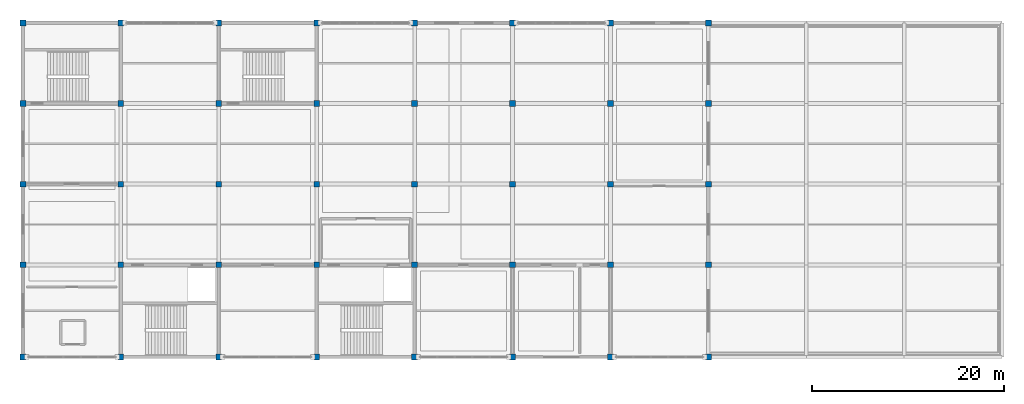
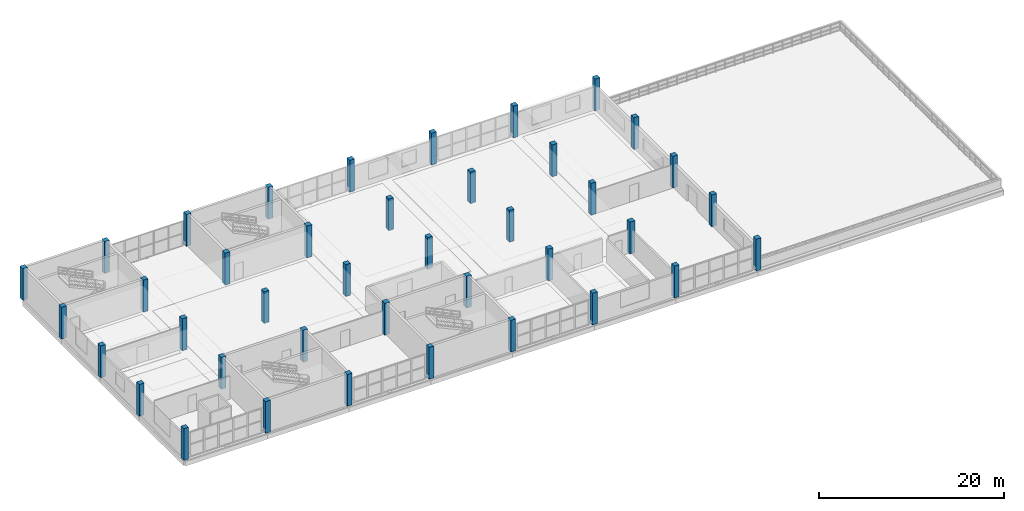
# One storey, part 1 of 24: 40 columns.
"""IFC4 building model written with IfcOpenShell, lengths in metres."""

from ifc_helpers import new_model, si_unit, direction, frame, origin, origin_2d, place, context, subcontext, project, spatial, rectangle, extrude, material, material_profile, profile_set, type_object, element, save


model = new_model("IFC4")

# Units and contexts
model_context = context("Model", 3, precision=1e-05, world=origin(), true_north=direction((0.0, 1.0)))
body_context = subcontext(model_context, "Body", "Model", "MODEL_VIEW")
ifc_project = project(units=[si_unit("LENGTHUNIT", "METRE"), si_unit("AREAUNIT", "SQUARE_METRE"), si_unit("VOLUMEUNIT", "CUBIC_METRE"), si_unit("PLANEANGLEUNIT", "RADIAN"), si_unit("MASSUNIT", "GRAM", prefix="KILO")], contexts=[model_context])

# Site, building, storey
site_placement = place(None, origin())
site = spatial("IfcSite", under=ifc_project, at=site_placement, CompositionType="ELEMENT")
building_placement = place(site_placement, origin())
building = spatial("IfcBuilding", under=site, at=building_placement, Name="Brelvane Convention Centre", CompositionType="ELEMENT")
storey_placement = place(building_placement, frame((0.0, 0.0, 19.199951171875)))
storey = spatial("IfcBuildingStorey", under=building, at=storey_placement, Name="L04", CompositionType="ELEMENT", Elevation=19.199951171875)

# Columns
ifc_material = material(Name="Concrete M50", Category="concrete")
ifc_material_profile = material_profile(ifc_material, rectangle(XDim=0.60009765625, YDim=0.60009765625, at=origin_2d()), Name="RC 600x600")
ifc_profile_set = profile_set([ifc_material_profile], Name="Concrete M50")
column_type = type_object("IfcColumnType", Name="RC Column C-RC4 (RC 600x600)", PredefinedType="COLUMN", material=ifc_profile_set)
for number, where, z_axis, x_axis, name in (
    (1, (0.0, 109.199951171875, 0.0), (0.0, 0.0, 1.0), (1.0, 0.0, 0.0), "Column 1-L (L04)"),
    (2, (0.0, 118.800048828125, 0.0), (0.0, 0.0, 1.0), (1.0, 0.0, 0.0), "Column 1-M (L04)"),
    (3, (0.0, 127.199951171875, 0.0), (0.0, 0.0, 1.0), (1.0, 0.0, 0.0), "Column 1-N (L04)"),
    (4, (0.0, 135.60009765625, 0.0), (0.0, 0.0, 1.0), (1.0, 0.0, 0.0), "Column 1-P (L04)"),
    (5, (0.0, 144.0, 0.0), (0.0, 0.0, 1.0), (1.0, 0.0, 0.0), "Column 1-Q (L04)"),
    (6, (10.199951171875, 109.199951171875, 0.0), (0.0, 0.0, 1.0), (1.0, 0.0, 0.0), "Column 2-L (L04)"),
    (7, (10.199951171875, 118.800048828125, 0.0), (0.0, 0.0, 1.0), (1.0, 0.0, 0.0), "Column 2-M (L04)"),
    (8, (10.199951171875, 127.199951171875, 0.0), (0.0, 0.0, 1.0), (1.0, 0.0, 0.0), "Column 2-N (L04)"),
    (9, (10.199951171875, 135.60009765625, 0.0), (0.0, 0.0, 1.0), (1.0, 0.0, 0.0), "Column 2-P (L04)"),
    (10, (10.199951171875, 144.0, 0.0), (0.0, 0.0, 1.0), (1.0, 0.0, 0.0), "Column 2-Q (L04)"),
    (11, (20.39990234375, 109.199951171875, 0.0), (0.0, 0.0, 1.0), (1.0, 0.0, 0.0), "Column 3-L (L04)"),
    (12, (20.39990234375, 118.800048828125, 0.0), (0.0, 0.0, 1.0), (1.0, 0.0, 0.0), "Column 3-M (L04)"),
    (13, (20.39990234375, 127.199951171875, 0.0), (0.0, 0.0, 1.0), (1.0, 0.0, 0.0), "Column 3-N (L04)"),
    (14, (20.39990234375, 135.60009765625, 0.0), (0.0, 0.0, 1.0), (1.0, 0.0, 0.0), "Column 3-P (L04)"),
    (15, (20.39990234375, 144.0, 0.0), (0.0, 0.0, 1.0), (1.0, 0.0, 0.0), "Column 3-Q (L04)"),
    (16, (30.60009765625, 109.199951171875, 0.0), (0.0, 0.0, 1.0), (1.0, 0.0, 0.0), "Column 4-L (L04)"),
    (17, (30.60009765625, 118.800048828125, 0.0), (0.0, 0.0, 1.0), (1.0, 0.0, 0.0), "Column 4-M (L04)"),
    (18, (30.60009765625, 127.199951171875, 0.0), (0.0, 0.0, 1.0), (1.0, 0.0, 0.0), "Column 4-N (L04)"),
    (19, (30.60009765625, 135.60009765625, 0.0), (0.0, 0.0, 1.0), (1.0, 0.0, 0.0), "Column 4-P (L04)"),
    (20, (30.60009765625, 144.0, 0.0), (0.0, 0.0, 1.0), (1.0, 0.0, 0.0), "Column 4-Q (L04)"),
    (21, (40.800048828125, 109.199951171875, 0.0), (0.0, 0.0, 1.0), (1.0, 0.0, 0.0), "Column 5-L (L04)"),
    (22, (40.800048828125, 118.800048828125, 0.0), (0.0, 0.0, 1.0), (1.0, 0.0, 0.0), "Column 5-M (L04)"),
    (23, (40.800048828125, 127.199951171875, 0.0), (0.0, 0.0, 1.0), (1.0, 0.0, 0.0), "Column 5-N (L04)"),
    (24, (40.800048828125, 135.60009765625, 0.0), (0.0, 0.0, 1.0), (1.0, 0.0, 0.0), "Column 5-P (L04)"),
    (25, (40.800048828125, 144.0, 0.0), (0.0, 0.0, 1.0), (1.0, 0.0, 0.0), "Column 5-Q (L04)"),
    (26, (51.0, 109.199951171875, 0.0), (0.0, 0.0, 1.0), (1.0, 0.0, 0.0), "Column 6-L (L04)"),
    (27, (51.0, 118.800048828125, 0.0), (0.0, 0.0, 1.0), (1.0, 0.0, 0.0), "Column 6-M (L04)"),
    (28, (51.0, 127.199951171875, 0.0), (0.0, 0.0, 1.0), (1.0, 0.0, 0.0), "Column 6-N (L04)"),
    (29, (51.0, 135.60009765625, 0.0), (0.0, 0.0, 1.0), (1.0, 0.0, 0.0), "Column 6-P (L04)"),
    (30, (51.0, 144.0, 0.0), (0.0, 0.0, 1.0), (1.0, 0.0, 0.0), "Column 6-Q (L04)"),
    (31, (61.199951171875, 109.199951171875, 0.0), (0.0, 0.0, 1.0), (1.0, 0.0, 0.0), "Column 7-L (L04)"),
    (32, (61.199951171875, 118.800048828125, 0.0), (0.0, 0.0, 1.0), (1.0, 0.0, 0.0), "Column 7-M (L04)"),
    (33, (61.199951171875, 127.199951171875, 0.0), (0.0, 0.0, 1.0), (1.0, 0.0, 0.0), "Column 7-N (L04)"),
    (34, (61.199951171875, 135.60009765625, 0.0), (0.0, 0.0, 1.0), (1.0, 0.0, 0.0), "Column 7-P (L04)"),
    (35, (61.199951171875, 144.0, 0.0), (0.0, 0.0, 1.0), (1.0, 0.0, 0.0), "Column 7-Q (L04)"),
    (36, (71.39990234375, 109.199951171875, 0.0), (0.0, 0.0, 1.0), (1.0, 0.0, 0.0), "Column 8-L (L04)"),
    (37, (71.39990234375, 118.800048828125, 0.0), (0.0, 0.0, 1.0), (1.0, 0.0, 0.0), "Column 8-M (L04)"),
    (38, (71.39990234375, 127.199951171875, 0.0), (0.0, 0.0, 1.0), (1.0, 0.0, 0.0), "Column 8-N (L04)"),
    (39, (71.39990234375, 135.60009765625, 0.0), (0.0, 0.0, 1.0), (1.0, 0.0, 0.0), "Column 8-P (L04)"),
    (40, (71.39990234375, 144.0, 0.0), (0.0, 0.0, 1.0), (1.0, 0.0, 0.0), "Column 8-Q (L04)"),
):
    element("IfcColumn", number, at=place(storey_placement, frame(where, z_axis=z_axis, x_axis=x_axis)), inside=storey, type_object=column_type, Name=name, PredefinedType="COLUMN", context=body_context, shape_type="SweptSolid", body=[
        extrude(rectangle(XDim=0.60009765625, YDim=0.60009765625, at=origin_2d()), origin(), (0.0, 0.0, 1.0), 4.199951171875),
    ])

save(model, "model.ifc")
